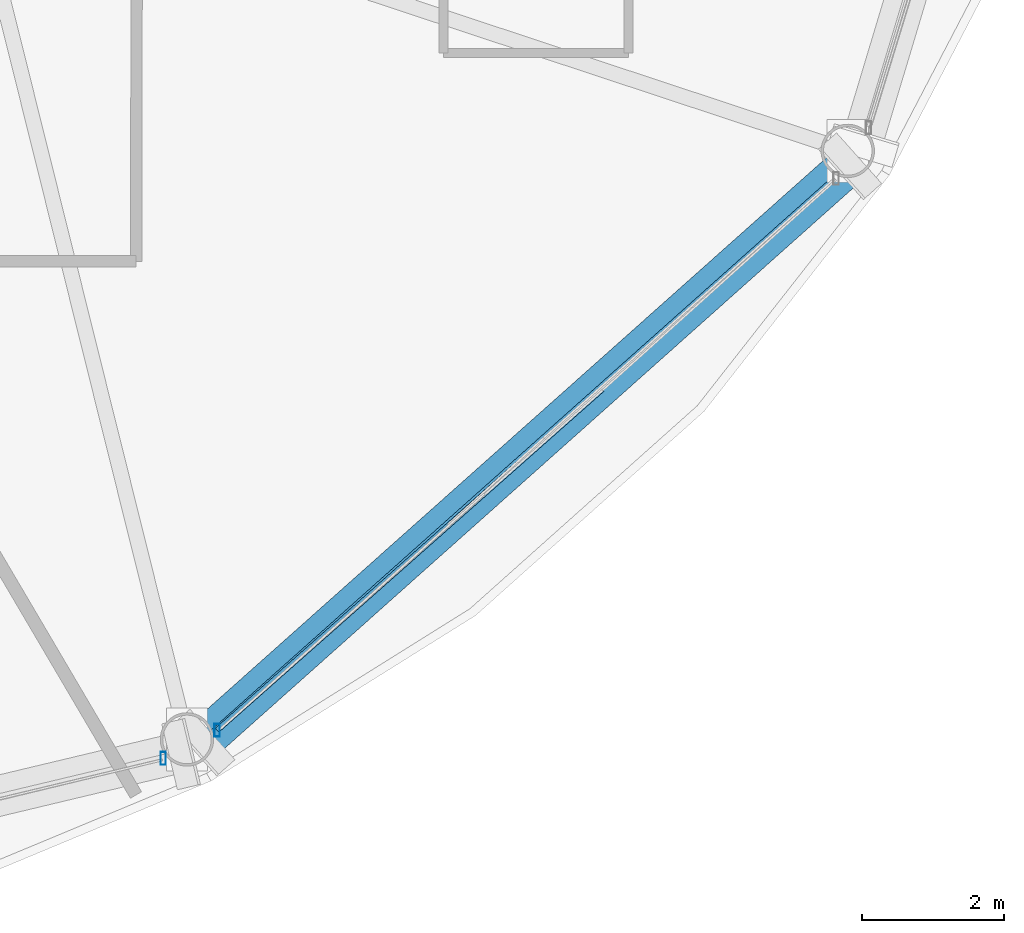
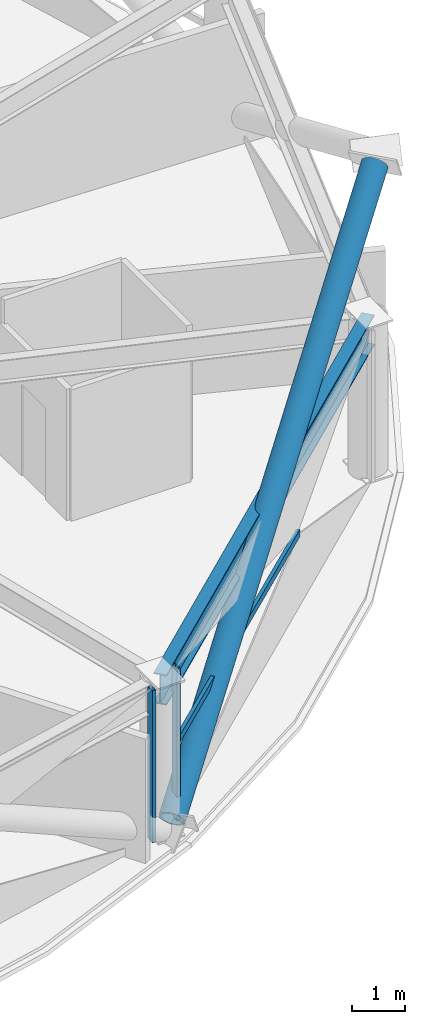
# One storey, part 8 of 30: 4 members, 1 beam, 2 elements without a shape of their own.
"""IFC4 building model written with IfcOpenShell, lengths in metres."""

from ifc_helpers import new_model, si_unit, direction, frame, origin, origin_2d, place, context, subcontext, project, spatial, hollow_rectangle, hollow_circle, i_section, extrude, material, layer, layer_set, material_profile, profile_set, type_object, element, aggregate, save


model = new_model("IFC4")

# Units and contexts
model_context = context("Model", 3, precision=1e-05, world=origin(), true_north=direction((0.0, 1.0)))
body_context = subcontext(model_context, "Body", "Model", "MODEL_VIEW")
ifc_project = project(units=[si_unit("LENGTHUNIT", "METRE"), si_unit("AREAUNIT", "SQUARE_METRE"), si_unit("VOLUMEUNIT", "CUBIC_METRE"), si_unit("PLANEANGLEUNIT", "RADIAN"), si_unit("MASSUNIT", "GRAM", prefix="KILO")], contexts=[model_context])

# Site, building, storey
site_placement = place(None, origin())
site = spatial("IfcSite", under=ifc_project, at=site_placement, CompositionType="ELEMENT")
building_placement = place(site_placement, origin())
building = spatial("IfcBuilding", under=site, at=building_placement, Name="Vantalir Tower", CompositionType="ELEMENT")
storey_placement = place(building_placement, frame((0.0, 0.0, 119.699951171875)))
storey = spatial("IfcBuildingStorey", under=building, at=storey_placement, Name="L29", CompositionType="ELEMENT", Elevation=119.699951171875)

# Beam
ifc_material_1 = material(Name="Steel S460", Category="steel")
ifc_material_profile_1 = material_profile(ifc_material_1, i_section(OverallWidth=0.256103515625, OverallDepth=0.693115234375, WebThickness=0.014404296875, FlangeThickness=0.023681640625, at=origin_2d()), Name="Steel S460")
ifc_profile_set_1 = profile_set([ifc_material_profile_1], Name="Steel S460")
beam_type = type_object("IfcBeamType", Name="BM-RG-686x254", PredefinedType="USERDEFINED", material=ifc_profile_set_1)
beam_placement = place(storey_placement, frame((44.169921875, 5.45703125, 3.22314453125), z_axis=(0.746791899704, 0.665057785862, 0.0), x_axis=(-0.665057785862, 0.746791899704, 0.0)))
element("IfcBeam", 1, at=beam_placement, inside=storey, type_object=beam_type, Name="L29 Circumferential Ring Girder 11", ObjectType="GIRDER", PredefinedType="USERDEFINED", context=body_context, shape_type="SweptSolid", body=[
    extrude(i_section(OverallWidth=0.256103515625, OverallDepth=0.693115234375, WebThickness=0.014404296875, FlangeThickness=0.023681640625, at=origin_2d()), origin(), (0.0, 0.0, 1.0), 12.419921875),
])

# Curtain wall, member
ifc_material_2 = material(Name="Champagne-silver PVDF aluminium and double-silver Low-E glass", Category="aluminium")
ifc_layer = layer(ifc_material_2, 0.199951171875)
ifc_layer_set = layer_set([ifc_layer], Name="Champagne-silver PVDF aluminium and double-silver Low-E glass")
curtain_wall_type = type_object("IfcCurtainWallType", Name="CW-DIAMOND-Z2", PredefinedType="USERDEFINED", material=ifc_layer_set)
curtain_wall_1_placement = place(storey_placement, origin())
curtain_wall_1 = element("IfcCurtainWall", 2, at=curtain_wall_1_placement, inside=storey, type_object=curtain_wall_type, Name="L29 Quilted Pyramid-Diamond Curtain Wall S10", ObjectType="UNITISED CURTAIN WALL", PredefinedType="USERDEFINED")
ifc_material_3 = material(Name="Champagne-silver PVDF aluminium 6063-T6", Category="aluminium")
ifc_material_profile_2 = material_profile(ifc_material_3, hollow_rectangle(XDim=0.074951171875, YDim=0.179931640625, WallThickness=0.00390625, at=origin_2d()), Name="Champagne-silver PVDF aluminium 6063-T6")
ifc_profile_set_2 = profile_set([ifc_material_profile_2], Name="Champagne-silver PVDF aluminium 6063-T6")
member_type_1 = type_object("IfcMemberType", Name="CWM-180x75", PredefinedType="MULLION", material=ifc_profile_set_2)
member_1_placement = place(storey_placement, frame((43.8369140625, 5.19091796875, 0.045166015625), z_axis=(0.0, 0.0, 1.0), x_axis=(1.0, 0.0, 0.0)))
member_1 = element("IfcMember", 3, at=member_1_placement, type_object=member_type_1, Name="CW-L29-S10 Mullion 2", PredefinedType="MULLION", context=body_context, shape_type="SweptSolid", body=[
    extrude(hollow_rectangle(XDim=0.074951171875, YDim=0.179931640625, WallThickness=0.00390625, at=origin_2d()), origin(), (0.0, 0.0, 1.0), 3.47998046875),
])
aggregate(curtain_wall_1, [member_1])

# Curtain wall, members
curtain_wall_2_placement = place(storey_placement, origin())
curtain_wall_2 = element("IfcCurtainWall", 4, at=curtain_wall_2_placement, inside=storey, type_object=curtain_wall_type, Name="L29 Quilted Pyramid-Diamond Curtain Wall S11", ObjectType="UNITISED CURTAIN WALL", PredefinedType="USERDEFINED")
member_2_placement = place(storey_placement, frame((44.593017578125, 5.5859375, 0.045166015625), z_axis=(0.0, 0.0, 1.0), x_axis=(1.0, 0.0, 0.0)))
member_2 = element("IfcMember", 5, at=member_2_placement, type_object=member_type_1, Name="CW-L29-S11 Mullion 1", PredefinedType="MULLION", context=body_context, shape_type="SweptSolid", body=[
    extrude(hollow_rectangle(XDim=0.074951171875, YDim=0.179931640625, WallThickness=0.00390625, at=origin_2d()), origin(), (0.0, 0.0, 1.0), 3.47998046875),
])
ifc_material_profile_3 = material_profile(ifc_material_3, hollow_rectangle(XDim=0.074951171875, YDim=0.159912109375, WallThickness=0.00390625, at=origin_2d()), Name="Champagne-silver PVDF aluminium 6063-T6")
ifc_profile_set_3 = profile_set([ifc_material_profile_3], Name="Champagne-silver PVDF aluminium 6063-T6")
member_type_2 = type_object("IfcMemberType", Name="CWT-160x75", PredefinedType="USERDEFINED", material=ifc_profile_set_3)
member_3_placement = place(storey_placement, frame((44.593017578125, 5.5859375, 1.78515625), z_axis=(0.7487286604, 0.662876604728, 0.0), x_axis=(-0.662876604728, 0.7487286604, 0.0)))
member_3 = element("IfcMember", 6, at=member_3_placement, type_object=member_type_2, Name="CW-L29-S11 Pyramid Fold Ridge Transom", ObjectType="TRANSOM", PredefinedType="USERDEFINED", context=body_context, shape_type="SweptSolid", body=[
    extrude(hollow_rectangle(XDim=0.074951171875, YDim=0.159912109375, WallThickness=0.00390625, at=origin_2d()), origin(), (0.0, 0.0, 1.0), 7.22021484375),
])
aggregate(curtain_wall_2, [member_2, member_3])

# Member
ifc_material_profile_4 = material_profile(ifc_material_1, hollow_circle(Radius=0.260009765625, WallThickness=0.0380859375, at=origin_2d()), Name="Steel S460")
ifc_profile_set_4 = profile_set([ifc_material_profile_4], Name="Steel S460")
member_type_3 = type_object("IfcMemberType", Name="MEM-DB-520x38", PredefinedType="BRACE", material=ifc_profile_set_4)
member_4_placement = place(storey_placement, frame((44.407958984375, 5.419921875, 0.18896484375), z_axis=(0.64795553905, 0.577582531386, 0.496540067722), x_axis=(-0.665407081999, 0.746480686439, 0.0)))
element("IfcMember", 7, at=member_4_placement, inside=storey, type_object=member_type_3, Name="L29 Perimeter S460 Diagrid Brace R31L", PredefinedType="BRACE", context=body_context, shape_type="SweptSolid", body=[
    extrude(hollow_circle(Radius=0.260009765625, WallThickness=0.0380859375, at=origin_2d()), origin(), (0.0, 0.0, 1.0), 13.98095703125),
])

save(model, "model.ifc")
